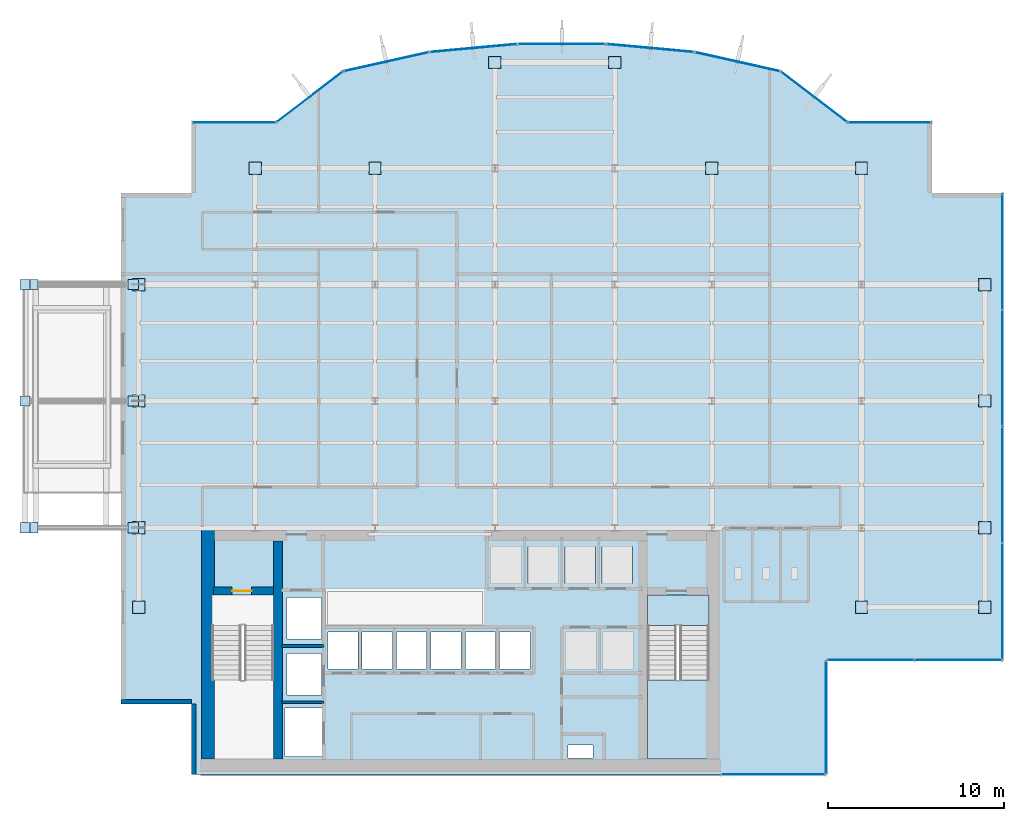
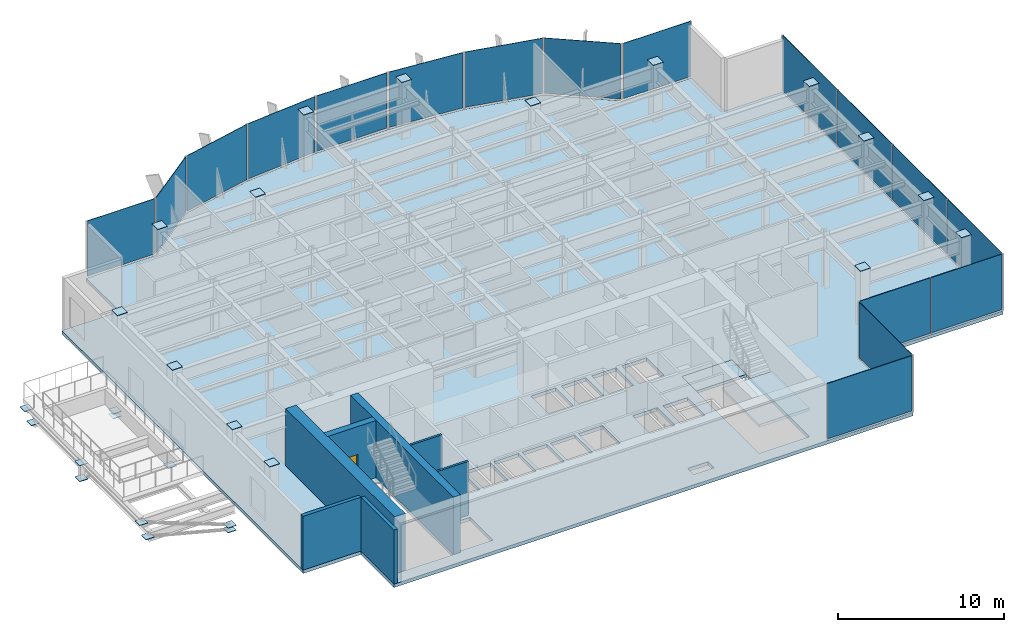
# One storey, part 17 of 26: 44 plates, 7 walls, 3 slabs, 1 door, 1 opening, 14 elements without a shape of their own.
"""IFC4 building model written with IfcOpenShell, lengths in metres."""

from ifc_helpers import new_model, si_unit, derived_unit, direction, frame, frame_2d, origin, origin_2d, place, context, subcontext, project, spatial, polyline, rectangle, outline, extrude, source, transform, mapped, material, layer, layer_set, type_object, element, fill, aggregate, save


model = new_model("IFC4")

# Units and contexts
model_context = context("Model", 3, precision=1e-05, world=origin(), true_north=direction((0.0, 1.0)))
body_context = subcontext(model_context, "Body", "Model", "MODEL_VIEW")
ifc_project = project(units=[si_unit("LENGTHUNIT", "METRE"), si_unit("AREAUNIT", "SQUARE_METRE"), si_unit("VOLUMEUNIT", "CUBIC_METRE"), si_unit("PLANEANGLEUNIT", "RADIAN"), si_unit("MASSUNIT", "GRAM", prefix="KILO"), derived_unit("THERMALTRANSMITTANCEUNIT", [(si_unit("POWERUNIT", "WATT"), 1), (si_unit("LENGTHUNIT", "METRE"), -2), (si_unit("THERMODYNAMICTEMPERATUREUNIT", "KELVIN"), -1)])], contexts=[model_context])

# Site, building, storey
site_placement = place(None, origin())
site = spatial("IfcSite", under=ifc_project, at=site_placement, CompositionType="ELEMENT")
building_placement = place(site_placement, origin())
building = spatial("IfcBuilding", under=site, at=building_placement, Name="Skarnbrae Concourse Arena and Tower", CompositionType="ELEMENT")
storey_placement = place(building_placement, frame((0.0, 0.0, 184.39990234375)))
storey = spatial("IfcBuildingStorey", under=building, at=storey_placement, Name="L47", CompositionType="ELEMENT", Elevation=184.39990234375)

# Stair, slab
ifc_material_1 = material(Name="Concrete 40 MPa (C40/50)", Category="concrete")
stair_type = type_object("IfcStairType", Name="STAIR-DOGLEG-1650", PredefinedType="HALF_TURN_STAIR", material=ifc_material_1)
stair_placement = place(storey_placement, origin())
stair = element("IfcStair", 1, at=stair_placement, inside=storey, type_object=stair_type, Name="L47 Protected Exit Stair ST-2", PredefinedType="HALF_TURN_STAIR")
ifc_layer_1 = layer(ifc_material_1, 0.199951171875)
ifc_layer_set_1 = layer_set([ifc_layer_1], Name="Concrete 40 MPa (C40/50)")
slab_type_1 = type_object("IfcSlabType", Name="SLAB-LANDING-200", PredefinedType="LANDING", material=ifc_layer_set_1)
slab_1_placement = place(storey_placement, frame((0.0, 0.0, 1.900146484375)))
slab_1 = element("IfcSlab", 2, at=slab_1_placement, type_object=slab_type_1, Name="ST-2 landing 1", PredefinedType="LANDING", context=body_context, shape_type="SweptSolid", body=[
    extrude(outline(polyline([(29.85009765625, 5.3701171875), (29.85009765625, 0.89990234375), (33.35009765625, 0.89990234375), (33.35009765625, 5.3701171875), (29.85009765625, 5.3701171875)])), origin(), (0.0, 0.0, 1.0), 0.199951171875),
])
aggregate(stair, [slab_1])

# Slabs
slab_2_placement = place(storey_placement, frame((0.0, 0.0, -0.199951171875)))
element("IfcSlab", 3, at=slab_2_placement, inside=storey, type_object=slab_type_1, Name="L47 Core stair ST2 floor landing", PredefinedType="LANDING", context=body_context, shape_type="SweptSolid", body=[
    extrude(outline(polyline([(29.85009765625, 10.199951171875), (29.85009765625, 8.449951171875), (33.35009765625, 8.449951171875), (33.35009765625, 10.199951171875), (29.85009765625, 10.199951171875)])), origin(), (0.0, 0.0, 1.0), 0.199951171875),
])
ifc_layer_2 = layer(ifc_material_1, 0.25)
ifc_layer_set_2 = layer_set([ifc_layer_2], Name="Concrete 40 MPa (C40/50)")
slab_type_2 = type_object("IfcSlabType", Name="SLAB-TOWER-250", PredefinedType="FLOOR", material=ifc_layer_set_2)
slab_3_placement = place(storey_placement, frame((0.0, 0.0, -0.25)))
element("IfcSlab", 4, at=slab_3_placement, inside=storey, type_object=slab_type_2, Name="L47 Structural floor slab", PredefinedType="FLOOR", context=body_context, shape_type="SweptSolid", body=[
    extrude(outline(polyline([(4.0, 0.0), (40.0, 0.0), (40.0, 6.5), (50.0, 6.5), (50.0, 33.0), (46.0, 33.0), (46.0, 37.0), (41.199951171875, 37.0), (37.409423828125, 39.892578125), (32.51220703125, 40.98681640625), (27.51123046875, 41.445556640625), (22.48876953125, 41.445556640625), (17.48779296875, 40.98681640625), (12.590576171875, 39.892578125), (8.800048828125, 37.0), (4.0, 37.0), (4.0, 33.0), (0.0, 33.0), (0.0, 4.0), (4.0, 4.0), (4.0, 0.0)]), holes=[polyline([(9.294921875, 3.780029296875), (11.455078125, 3.780029296875), (11.455078125, 1.02001953125), (9.294921875, 1.02001953125), (9.294921875, 3.780029296875)]), polyline([(8.64990234375, 10.199951171875), (8.64990234375, 0.89990234375), (5.14990234375, 0.89990234375), (5.14990234375, 10.199951171875), (8.64990234375, 10.199951171875)]), polyline([(9.39501953125, 6.8798828125), (11.35498046875, 6.8798828125), (11.35498046875, 4.52001953125), (9.39501953125, 4.52001953125), (9.39501953125, 6.8798828125)]), polyline([(11.719970703125, 8.10498046875), (13.429931640625, 8.10498046875), (13.429931640625, 5.9951171875), (11.719970703125, 5.9951171875), (11.719970703125, 8.10498046875)]), polyline([(13.669921875, 8.10498046875), (15.3798828125, 8.10498046875), (15.3798828125, 5.9951171875), (13.669921875, 5.9951171875), (13.669921875, 8.10498046875)]), polyline([(15.6201171875, 8.10498046875), (17.330078125, 8.10498046875), (17.330078125, 5.9951171875), (15.6201171875, 5.9951171875), (15.6201171875, 8.10498046875)]), polyline([(17.570068359375, 8.10498046875), (19.280029296875, 8.10498046875), (19.280029296875, 5.9951171875), (17.570068359375, 5.9951171875), (17.570068359375, 8.10498046875)]), polyline([(21.22998046875, 8.10498046875), (21.22998046875, 5.9951171875), (19.52001953125, 5.9951171875), (19.52001953125, 8.10498046875), (21.22998046875, 8.10498046875)]), polyline([(11.35498046875, 10.054931640625), (11.35498046875, 7.695068359375), (9.39501953125, 7.695068359375), (9.39501953125, 10.054931640625), (11.35498046875, 10.054931640625)]), polyline([(25.35009765625, 1.669921875), (26.760009765625, 1.669921875), (26.760009765625, 0.949951171875), (25.35009765625, 0.949951171875), (25.35009765625, 1.669921875)]), polyline([(33.35009765625, 10.199951171875), (33.35009765625, 0.89990234375), (29.85009765625, 0.89990234375), (29.85009765625, 10.199951171875), (33.35009765625, 10.199951171875)]), polyline([(21.469970703125, 8.10498046875), (23.179931640625, 8.10498046875), (23.179931640625, 5.9951171875), (21.469970703125, 5.9951171875), (21.469970703125, 8.10498046875)]), polyline([(25.235107421875, 8.10498046875), (26.945068359375, 8.10498046875), (26.945068359375, 5.9951171875), (25.235107421875, 5.9951171875), (25.235107421875, 8.10498046875)]), polyline([(27.3349609375, 8.10498046875), (29.044921875, 8.10498046875), (29.044921875, 5.9951171875), (27.3349609375, 5.9951171875), (27.3349609375, 8.10498046875)]), polyline([(20.985107421875, 12.955078125), (22.695068359375, 12.955078125), (22.695068359375, 10.844970703125), (20.985107421875, 10.844970703125), (20.985107421875, 12.955078125)]), polyline([(23.0849609375, 12.955078125), (24.794921875, 12.955078125), (24.794921875, 10.844970703125), (23.0849609375, 10.844970703125), (23.0849609375, 12.955078125)]), polyline([(26.89501953125, 12.955078125), (26.89501953125, 10.844970703125), (25.18505859375, 10.844970703125), (25.18505859375, 12.955078125), (26.89501953125, 12.955078125)]), polyline([(28.9951171875, 12.955078125), (28.9951171875, 10.844970703125), (27.284912109375, 10.844970703125), (27.284912109375, 12.955078125), (28.9951171875, 12.955078125)])]), origin(), (0.0, 0.0, 1.0), 0.25),
])

# Plates
ifc_material_2 = material(Name="Steel CSA G40.21 350W", Category="steel")
ifc_layer_3 = layer(ifc_material_2, 0.031982421875)
ifc_layer_set_3 = layer_set([ifc_layer_3], Name="Steel CSA G40.21 350W")
plate_type_1 = type_object("IfcPlateType", Name="PLT-CAP-HOLLOW", PredefinedType="USERDEFINED", material=ifc_layer_set_3)
shared_shape_1 = source(origin(), body_context, "Body", "SweptSolid", [
    extrude(rectangle(XDim=0.580078125, YDim=0.580078125, at=origin_2d()), origin(), (0.0, 0.0, 1.0), 0.031982421875),
])
for number, where, z_axis, x_axis, name in (
    (5, (0.68505859375, 14.0, -2.9658203125), (0.0, 0.0, 1.0), (1.0, 0.0, 0.0), "L47 Sky pool strut base cap plate 1"),
    (6, (-5.449951171875, 14.0, -0.63330078125), (0.0, 0.0, 1.0), (1.0, 0.0, 0.0), "L47 Sky pool strut tip cap plate 1"),
    (7, (0.68505859375, 21.199951171875, -2.9658203125), (0.0, 0.0, 1.0), (1.0, 0.0, 0.0), "L47 Sky pool strut base cap plate 2"),
    (8, (-5.449951171875, 21.199951171875, -1.76611328125), (0.0, 0.0, 1.0), (1.0, 0.0, 0.0), "L47 Sky pool strut tip cap plate 2"),
    (9, (0.68505859375, 27.800048828125, -2.9658203125), (0.0, 0.0, 1.0), (1.0, 0.0, 0.0), "L47 Sky pool strut base cap plate 3"),
    (10, (-5.449951171875, 27.800048828125, -0.63330078125), (0.0, 0.0, 1.0), (1.0, 0.0, 0.0), "L47 Sky pool strut tip cap plate 3"),
    (11, (0.68505859375, 14.0, -3.31591796875), (0.0, 0.0, 1.0), (1.0, 0.0, 0.0), "L47 Basin strut base cap plate 1"),
    (12, (-5.0, 14.0, -1.83349609375), (0.0, 0.0, 1.0), (1.0, 0.0, 0.0), "L47 Basin strut tip cap plate 1"),
    (13, (0.68505859375, 27.800048828125, -3.31591796875), (0.0, 0.0, 1.0), (1.0, 0.0, 0.0), "L47 Basin strut base cap plate 2"),
    (14, (-5.0, 27.800048828125, -1.83349609375), (0.0, 0.0, 1.0), (1.0, 0.0, 0.0), "L47 Basin strut tip cap plate 2"),
    (15, (-5.449951171875, 21.199951171875, -1.78076171875), (0.0, 0.0, 1.0), (1.0, 0.0, 0.0), "L47 Outrigger post bottom cap plate 13"),
    (16, (-5.449951171875, 21.199951171875, -0.6181640625), (0.0, 0.0, 1.0), (1.0, 0.0, 0.0), "L47 Outrigger post top cap plate 13"),
):
    element("IfcPlate", number, at=place(storey_placement, frame(where, z_axis=z_axis, x_axis=x_axis)), inside=storey, type_object=plate_type_1, Name=name, ObjectType="CAP PLATE", PredefinedType="USERDEFINED", context=body_context, shape_type="MappedRepresentation", body=[
        mapped(shared_shape_1, transform((0.0, 0.0, 0.0))),
    ])
ifc_layer_4 = layer(ifc_material_2, 0.031982421875)
ifc_layer_set_4 = layer_set([ifc_layer_4], Name="Steel CSA G40.21 350W")
plate_type_2 = type_object("IfcPlateType", Name="PLT-CAP-BOX650", PredefinedType="USERDEFINED", material=ifc_layer_set_4)
shared_shape_2 = source(origin(), body_context, "Body", "SweptSolid", [
    extrude(rectangle(XDim=0.699951171875, YDim=0.699951171875, at=origin_2d()), origin(), (0.0, 0.0, 1.0), 0.031982421875),
])
for number, where, z_axis, x_axis, name in (
    (17, (1.0, 9.5, 4.19921875), (0.0, 0.0, 1.0), (1.0, 0.0, 0.0), "L47 Hollow column top cap plate 111"),
    (18, (1.0, 14.0, 4.19921875), (0.0, 0.0, 1.0), (1.0, 0.0, 0.0), "L47 Hollow column top cap plate 112"),
    (19, (1.0, 21.199951171875, 4.19921875), (0.0, 0.0, 1.0), (1.0, 0.0, 0.0), "L47 Hollow column top cap plate 113"),
    (20, (1.0, 27.800048828125, 4.19921875), (0.0, 0.0, 1.0), (1.0, 0.0, 0.0), "L47 Hollow column top cap plate 114"),
    (21, (7.60009765625, 34.39990234375, 4.19921875), (0.0, 0.0, 1.0), (1.0, 0.0, 0.0), "L47 Hollow column top cap plate 115"),
    (22, (14.39990234375, 34.39990234375, 4.19921875), (0.0, 0.0, 1.0), (1.0, 0.0, 0.0), "L47 Hollow column top cap plate 116"),
    (23, (21.199951171875, 40.39990234375, 4.19921875), (0.0, 0.0, 1.0), (1.0, 0.0, 0.0), "L47 Hollow column top cap plate 117"),
    (24, (28.0, 40.39990234375, 4.19921875), (0.0, 0.0, 1.0), (1.0, 0.0, 0.0), "L47 Hollow column top cap plate 118"),
    (25, (33.5, 34.39990234375, 4.19921875), (0.0, 0.0, 1.0), (1.0, 0.0, 0.0), "L47 Hollow column top cap plate 119"),
    (26, (42.0, 9.5, 4.19921875), (0.0, 0.0, 1.0), (1.0, 0.0, 0.0), "L47 Hollow column top cap plate 120"),
    (27, (42.0, 34.39990234375, 4.19921875), (0.0, 0.0, 1.0), (1.0, 0.0, 0.0), "L47 Hollow column top cap plate 121"),
    (28, (49.0, 9.5, 4.19921875), (0.0, 0.0, 1.0), (1.0, 0.0, 0.0), "L47 Hollow column top cap plate 122"),
    (29, (49.0, 14.0, 4.19921875), (0.0, 0.0, 1.0), (1.0, 0.0, 0.0), "L47 Hollow column top cap plate 123"),
    (30, (49.0, 21.199951171875, 4.19921875), (0.0, 0.0, 1.0), (1.0, 0.0, 0.0), "L47 Hollow column top cap plate 124"),
    (31, (49.0, 27.800048828125, 4.19921875), (0.0, 0.0, 1.0), (1.0, 0.0, 0.0), "L47 Hollow column top cap plate 125"),
):
    element("IfcPlate", number, at=place(storey_placement, frame(where, z_axis=z_axis, x_axis=x_axis)), inside=storey, type_object=plate_type_2, Name=name, ObjectType="CAP PLATE", PredefinedType="USERDEFINED", context=body_context, shape_type="MappedRepresentation", body=[
        mapped(shared_shape_2, transform((0.0, 0.0, 0.0))),
    ])

# Curtain wall, plate
ifc_material_3 = material(Name="Bronze anodised aluminium 6063-T6", Category="aluminium")
curtain_wall_type = type_object("IfcCurtainWallType", Name="CW-SYS-06-SKYLOBBY", PredefinedType="USERDEFINED", material=ifc_material_3)
curtain_wall_1_placement = place(storey_placement, origin())
curtain_wall_1 = element("IfcCurtainWall", 32, at=curtain_wall_1_placement, inside=storey, type_object=curtain_wall_type, Name="L47 Unitised curtain wall CW-L47-SE-SPINE", ObjectType="UNITISED CURTAIN WALL", PredefinedType="USERDEFINED")
ifc_material_4 = material(Name="Low-E triple insulating glass", Category="glass")
ifc_layer_5 = layer(ifc_material_4, 0.0380859375)
ifc_layer_set_5 = layer_set([ifc_layer_5], Name="Low-E triple insulating glass")
plate_type_3 = type_object("IfcPlateType", Name="CWP-CW-06", PredefinedType="CURTAIN_PANEL", material=ifc_layer_set_5)
shared_shape_3 = source(origin(), body_context, "Body", "SweptSolid", [
    extrude(rectangle(XDim=5.860107421875, YDim=0.0380859375, at=origin_2d()), origin(), (0.0, 0.0, 1.0), 4.06494140625),
])
plate_1_placement = place(storey_placement, frame((37.0, 0.0, 0.135009765625), z_axis=(0.0, 0.0, 1.0), x_axis=(1.0, 0.0, 0.0)))
plate_1 = element("IfcPlate", 33, at=plate_1_placement, type_object=plate_type_3, Name="CW-L47-SE-SPINE Low-E Glazing Panel 1", PredefinedType="CURTAIN_PANEL", context=body_context, shape_type="MappedRepresentation", body=[
    mapped(shared_shape_3, transform((0.0, 0.0, 0.0))),
])
aggregate(curtain_wall_1, [plate_1])

curtain_wall_2_placement = place(storey_placement, origin())
curtain_wall_2 = element("IfcCurtainWall", 34, at=curtain_wall_2_placement, inside=storey, type_object=curtain_wall_type, Name="L47 Unitised curtain wall CW-L47-E02", ObjectType="UNITISED CURTAIN WALL", PredefinedType="USERDEFINED")
shared_shape_4 = source(origin(), body_context, "Body", "SweptSolid", [
    extrude(rectangle(XDim=6.360107421875, YDim=0.0380859375, at=origin_2d()), origin(), (0.0, 0.0, 1.0), 4.06494140625),
])
plate_2_placement = place(storey_placement, frame((40.0, 3.25, 0.135009765625), z_axis=(0.0, 0.0, 1.0), x_axis=(0.0, 1.0, 0.0)))
plate_2 = element("IfcPlate", 35, at=plate_2_placement, type_object=plate_type_3, Name="CW-L47-E02 Low-E Glazing Panel 1", PredefinedType="CURTAIN_PANEL", context=body_context, shape_type="MappedRepresentation", body=[
    mapped(shared_shape_4, transform((0.0, 0.0, 0.0))),
])
aggregate(curtain_wall_2, [plate_2])

# Curtain wall, plates
curtain_wall_3_placement = place(storey_placement, origin())
curtain_wall_3 = element("IfcCurtainWall", 36, at=curtain_wall_3_placement, inside=storey, type_object=curtain_wall_type, Name="L47 Unitised curtain wall CW-L47-E03", ObjectType="UNITISED CURTAIN WALL", PredefinedType="USERDEFINED")
shared_shape_5 = source(origin(), body_context, "Body", "SweptSolid", [
    extrude(rectangle(XDim=4.89501953125, YDim=0.0380859375, at=origin_2d()), origin(), (0.0, 0.0, 1.0), 4.06494140625),
])
plate_3_placement = place(storey_placement, frame((42.517578125, 6.5, 0.135009765625), z_axis=(0.0, 0.0, 1.0), x_axis=(1.0, 0.0, 0.0)))
plate_3 = element("IfcPlate", 37, at=plate_3_placement, type_object=plate_type_3, Name="CW-L47-E03 Low-E Glazing Panel 1", PredefinedType="CURTAIN_PANEL", context=body_context, shape_type="MappedRepresentation", body=[
    mapped(shared_shape_5, transform((0.0, 0.0, 0.0))),
])
plate_4_placement = place(storey_placement, frame((47.482421875, 6.5, 0.135009765625), z_axis=(0.0, 0.0, 1.0), x_axis=(1.0, 0.0, 0.0)))
plate_4 = element("IfcPlate", 38, at=plate_4_placement, type_object=plate_type_3, Name="CW-L47-E03 Low-E Glazing Panel 2", PredefinedType="CURTAIN_PANEL", context=body_context, shape_type="MappedRepresentation", body=[
    mapped(shared_shape_5, transform((0.0, 0.0, 0.0))),
])
aggregate(curtain_wall_3, [plate_3, plate_4])

curtain_wall_4_placement = place(storey_placement, origin())
curtain_wall_4 = element("IfcCurtainWall", 39, at=curtain_wall_4_placement, inside=storey, type_object=curtain_wall_type, Name="L47 Unitised curtain wall CW-L47-E04", ObjectType="UNITISED CURTAIN WALL", PredefinedType="USERDEFINED")
shared_shape_6 = source(origin(), body_context, "Body", "SweptSolid", [
    extrude(rectangle(XDim=6.52001953125, YDim=0.0380859375, at=origin_2d()), origin(), (0.0, 0.0, 1.0), 4.06494140625),
])
plate_5_placement = place(storey_placement, frame((50.0, 9.830078125, 0.135009765625), z_axis=(0.0, 0.0, 1.0), x_axis=(0.0, 1.0, 0.0)))
plate_5 = element("IfcPlate", 40, at=plate_5_placement, type_object=plate_type_3, Name="CW-L47-E04 Low-E Glazing Panel 1", PredefinedType="CURTAIN_PANEL", context=body_context, shape_type="MappedRepresentation", body=[
    mapped(shared_shape_6, transform((0.0, 0.0, 0.0))),
])
plate_6_placement = place(storey_placement, frame((50.0, 29.669921875, 0.135009765625), z_axis=(0.0, 0.0, 1.0), x_axis=(0.0, 1.0, 0.0)))
plate_6 = element("IfcPlate", 41, at=plate_6_placement, type_object=plate_type_3, Name="CW-L47-E04 Low-E Glazing Panel 4", PredefinedType="CURTAIN_PANEL", context=body_context, shape_type="MappedRepresentation", body=[
    mapped(shared_shape_6, transform((0.0, 0.0, 0.0))),
])
shared_shape_7 = source(origin(), body_context, "Body", "SweptSolid", [
    extrude(rectangle(XDim=6.554931640625, YDim=0.0380859375, at=origin_2d()), origin(), (0.0, 0.0, 1.0), 4.06494140625),
])
plate_7_placement = place(storey_placement, frame((50.0, 16.4375, 0.135009765625), z_axis=(0.0, 0.0, 1.0), x_axis=(0.0, 1.0, 0.0)))
plate_7 = element("IfcPlate", 42, at=plate_7_placement, type_object=plate_type_3, Name="CW-L47-E04 Low-E Glazing Panel 2", PredefinedType="CURTAIN_PANEL", context=body_context, shape_type="MappedRepresentation", body=[
    mapped(shared_shape_7, transform((0.0, 0.0, 0.0))),
])
plate_8_placement = place(storey_placement, frame((50.0, 23.0625, 0.135009765625), z_axis=(0.0, 0.0, 1.0), x_axis=(0.0, 1.0, 0.0)))
plate_8 = element("IfcPlate", 43, at=plate_8_placement, type_object=plate_type_3, Name="CW-L47-E04 Low-E Glazing Panel 3", PredefinedType="CURTAIN_PANEL", context=body_context, shape_type="MappedRepresentation", body=[
    mapped(shared_shape_7, transform((0.0, 0.0, 0.0))),
])
aggregate(curtain_wall_4, [plate_5, plate_7, plate_8, plate_6])

# Curtain wall, plate
curtain_wall_5_placement = place(storey_placement, origin())
curtain_wall_5 = element("IfcCurtainWall", 44, at=curtain_wall_5_placement, inside=storey, type_object=curtain_wall_type, Name="L47 Unitised curtain wall CW-L47-E07", ObjectType="UNITISED CURTAIN WALL", PredefinedType="USERDEFINED")
shared_shape_8 = source(origin(), body_context, "Body", "SweptSolid", [
    extrude(rectangle(XDim=4.659912109375, YDim=0.0380859375, at=origin_2d()), origin(), (0.0, 0.0, 1.0), 4.06494140625),
])
plate_9_placement = place(storey_placement, frame((43.60009765625, 37.0, 0.135009765625), z_axis=(0.0, 0.0, 1.0), x_axis=(-1.0, 0.0, 0.0)))
plate_9 = element("IfcPlate", 45, at=plate_9_placement, type_object=plate_type_3, Name="CW-L47-E07 Low-E Glazing Panel 1", PredefinedType="CURTAIN_PANEL", context=body_context, shape_type="MappedRepresentation", body=[
    mapped(shared_shape_8, transform((0.0, 0.0, 0.0))),
])
aggregate(curtain_wall_5, [plate_9])

curtain_wall_6_placement = place(storey_placement, origin())
curtain_wall_6 = element("IfcCurtainWall", 46, at=curtain_wall_6_placement, inside=storey, type_object=curtain_wall_type, Name="L47 Unitised curtain wall CW-L47-E15", ObjectType="UNITISED CURTAIN WALL", PredefinedType="USERDEFINED")
plate_10_placement = place(storey_placement, frame((6.39990234375, 37.0, 0.135009765625), z_axis=(0.0, 0.0, 1.0), x_axis=(-1.0, 0.0, 0.0)))
plate_10 = element("IfcPlate", 47, at=plate_10_placement, type_object=plate_type_3, Name="CW-L47-E15 Low-E Glazing Panel 1", PredefinedType="CURTAIN_PANEL", context=body_context, shape_type="MappedRepresentation", body=[
    mapped(shared_shape_8, transform((0.0, 0.0, 0.0))),
])
aggregate(curtain_wall_6, [plate_10])

curtain_wall_7_placement = place(storey_placement, origin())
curtain_wall_7 = element("IfcCurtainWall", 48, at=curtain_wall_7_placement, inside=storey, type_object=curtain_wall_type, Name="L47 Unitised curtain wall CW-L47-E08", ObjectType="UNITISED CURTAIN WALL", PredefinedType="USERDEFINED")
shared_shape_9 = source(origin(), body_context, "Body", "SweptSolid", [
    extrude(rectangle(XDim=4.628173828125, YDim=0.0380859375, at=origin_2d()), origin(), (0.0, 0.0, 1.0), 4.06494140625),
])
plate_11_placement = place(storey_placement, frame((39.3046875, 38.4462890625, 0.135009765625), z_axis=(0.0, 0.0, 1.0), x_axis=(-0.794956000706, 0.606667089054, 0.0)))
plate_11 = element("IfcPlate", 49, at=plate_11_placement, type_object=plate_type_3, Name="CW-L47-E08 Low-E Glazing Panel 1", PredefinedType="CURTAIN_PANEL", context=body_context, shape_type="MappedRepresentation", body=[
    mapped(shared_shape_9, transform((0.0, 0.0, 0.0))),
])
aggregate(curtain_wall_7, [plate_11])

curtain_wall_8_placement = place(storey_placement, origin())
curtain_wall_8 = element("IfcCurtainWall", 50, at=curtain_wall_8_placement, inside=storey, type_object=curtain_wall_type, Name="L47 Unitised curtain wall CW-L47-E14", ObjectType="UNITISED CURTAIN WALL", PredefinedType="USERDEFINED")
plate_12_placement = place(storey_placement, frame((10.6953125, 38.4462890625, 0.135009765625), z_axis=(0.0, 0.0, 1.0), x_axis=(-0.794956000706, -0.606667089054, 0.0)))
plate_12 = element("IfcPlate", 51, at=plate_12_placement, type_object=plate_type_3, Name="CW-L47-E14 Low-E Glazing Panel 1", PredefinedType="CURTAIN_PANEL", context=body_context, shape_type="MappedRepresentation", body=[
    mapped(shared_shape_9, transform((0.0, 0.0, 0.0))),
])
aggregate(curtain_wall_8, [plate_12])

curtain_wall_9_placement = place(storey_placement, origin())
curtain_wall_9 = element("IfcCurtainWall", 52, at=curtain_wall_9_placement, inside=storey, type_object=curtain_wall_type, Name="L47 Unitised curtain wall CW-L47-E09", ObjectType="UNITISED CURTAIN WALL", PredefinedType="USERDEFINED")
shared_shape_10 = source(origin(), body_context, "Body", "SweptSolid", [
    extrude(rectangle(XDim=4.8779296875, YDim=0.0380859375, at=origin_2d()), origin(), (0.0, 0.0, 1.0), 4.06494140625),
])
plate_13_placement = place(storey_placement, frame((34.9609375, 40.439697265625, 0.135009765625), z_axis=(0.0, 0.0, 1.0), x_axis=(-0.975936175393, 0.218056372433, 0.0)))
plate_13 = element("IfcPlate", 53, at=plate_13_placement, type_object=plate_type_3, Name="CW-L47-E09 Low-E Glazing Panel 1", PredefinedType="CURTAIN_PANEL", context=body_context, shape_type="MappedRepresentation", body=[
    mapped(shared_shape_10, transform((0.0, 0.0, 0.0))),
])
aggregate(curtain_wall_9, [plate_13])

curtain_wall_10_placement = place(storey_placement, origin())
curtain_wall_10 = element("IfcCurtainWall", 54, at=curtain_wall_10_placement, inside=storey, type_object=curtain_wall_type, Name="L47 Unitised curtain wall CW-L47-E13", ObjectType="UNITISED CURTAIN WALL", PredefinedType="USERDEFINED")
plate_14_placement = place(storey_placement, frame((15.0390625, 40.439697265625, 0.135009765625), z_axis=(0.0, 0.0, 1.0), x_axis=(-0.975936175393, -0.218056372433, 0.0)))
plate_14 = element("IfcPlate", 55, at=plate_14_placement, type_object=plate_type_3, Name="CW-L47-E13 Low-E Glazing Panel 1", PredefinedType="CURTAIN_PANEL", context=body_context, shape_type="MappedRepresentation", body=[
    mapped(shared_shape_10, transform((0.0, 0.0, 0.0))),
])
aggregate(curtain_wall_10, [plate_14])

curtain_wall_11_placement = place(storey_placement, origin())
curtain_wall_11 = element("IfcCurtainWall", 56, at=curtain_wall_11_placement, inside=storey, type_object=curtain_wall_type, Name="L47 Unitised curtain wall CW-L47-E10", ObjectType="UNITISED CURTAIN WALL", PredefinedType="USERDEFINED")
shared_shape_11 = source(origin(), body_context, "Body", "SweptSolid", [
    extrude(rectangle(XDim=4.882080078125, YDim=0.0380859375, at=origin_2d()), origin(), (0.0, 0.0, 1.0), 4.06494140625),
])
plate_15_placement = place(storey_placement, frame((30.01171875, 41.21630859375, 0.135009765625), z_axis=(0.0, 0.0, 1.0), x_axis=(-0.995819926016, 0.091338244731, 0.0)))
plate_15 = element("IfcPlate", 57, at=plate_15_placement, type_object=plate_type_3, Name="CW-L47-E10 Low-E Glazing Panel 1", PredefinedType="CURTAIN_PANEL", context=body_context, shape_type="MappedRepresentation", body=[
    mapped(shared_shape_11, transform((0.0, 0.0, 0.0))),
])
aggregate(curtain_wall_11, [plate_15])

curtain_wall_12_placement = place(storey_placement, origin())
curtain_wall_12 = element("IfcCurtainWall", 58, at=curtain_wall_12_placement, inside=storey, type_object=curtain_wall_type, Name="L47 Unitised curtain wall CW-L47-E12", ObjectType="UNITISED CURTAIN WALL", PredefinedType="USERDEFINED")
plate_16_placement = place(storey_placement, frame((19.98828125, 41.21630859375, 0.135009765625), z_axis=(0.0, 0.0, 1.0), x_axis=(-0.995819926016, -0.091338244731, 0.0)))
plate_16 = element("IfcPlate", 59, at=plate_16_placement, type_object=plate_type_3, Name="CW-L47-E12 Low-E Glazing Panel 1", PredefinedType="CURTAIN_PANEL", context=body_context, shape_type="MappedRepresentation", body=[
    mapped(shared_shape_11, transform((0.0, 0.0, 0.0))),
])
aggregate(curtain_wall_12, [plate_16])

curtain_wall_13_placement = place(storey_placement, origin())
curtain_wall_13 = element("IfcCurtainWall", 60, at=curtain_wall_13_placement, inside=storey, type_object=curtain_wall_type, Name="L47 Unitised curtain wall CW-L47-E11", ObjectType="UNITISED CURTAIN WALL", PredefinedType="USERDEFINED")
shared_shape_12 = source(origin(), body_context, "Body", "SweptSolid", [
    extrude(rectangle(XDim=4.882568359375, YDim=0.0380859375, at=origin_2d()), origin(), (0.0, 0.0, 1.0), 4.06494140625),
])
plate_17_placement = place(storey_placement, frame((25.0, 41.445556640625, 0.135009765625), z_axis=(0.0, 0.0, 1.0), x_axis=(-1.0, 0.0, 0.0)))
plate_17 = element("IfcPlate", 61, at=plate_17_placement, type_object=plate_type_3, Name="CW-L47-E11 Low-E Glazing Panel 1", PredefinedType="CURTAIN_PANEL", context=body_context, shape_type="MappedRepresentation", body=[
    mapped(shared_shape_12, transform((0.0, 0.0, 0.0))),
])
aggregate(curtain_wall_13, [plate_17])

# Walls
ifc_material_5 = material(Name="Concrete 60 MPa (C60/75)", Category="concrete")
ifc_layer_6 = layer(ifc_material_5, 0.75)
ifc_layer_set_6 = layer_set([ifc_layer_6], Name="Concrete 60 MPa (C60/75)")
wall_type_1 = type_object("IfcWallType", Name="WALL-CORE-750-C60", PredefinedType="SHEAR", material=ifc_layer_set_6)
shared_shape_13 = source(origin(), body_context, "Body", "SweptSolid", [
    extrude(rectangle(XDim=13.10009765625, YDim=0.75, at=frame_2d((6.550048828125, 0.0))), origin(), (0.0, 0.0, 1.0), 4.2001953125),
])
wall_1_placement = place(storey_placement, frame((4.925048828125, 0.89990234375, 0.0), z_axis=(0.0, 0.0, 1.0), x_axis=(0.0, 1.0, 0.0)))
element("IfcWall", 62, at=wall_1_placement, inside=storey, type_object=wall_type_1, Name="L47 Rear core shear wall CW-W", PredefinedType="SHEAR", context=body_context, shape_type="MappedRepresentation", body=[
    mapped(shared_shape_13, transform((0.0, 0.0, 0.0))),
])
ifc_layer_7 = layer(ifc_material_5, 0.5)
ifc_layer_set_7 = layer_set([ifc_layer_7], Name="Concrete 60 MPa (C60/75)")
wall_type_2 = type_object("IfcWallType", Name="WALL-CORE-500-C60", PredefinedType="SHEAR", material=ifc_layer_set_7)
shared_shape_14 = source(origin(), body_context, "Body", "SweptSolid", [
    extrude(rectangle(XDim=12.35009765625, YDim=0.5, at=frame_2d((6.175048828125, 0.0))), origin(), (0.0, 0.0, 1.0), 4.2001953125),
])
wall_2_placement = place(storey_placement, frame((8.889892578125, 0.89990234375, 0.0), z_axis=(0.0, 0.0, 1.0), x_axis=(0.0, 1.0, 0.0)))
element("IfcWall", 63, at=wall_2_placement, inside=storey, type_object=wall_type_2, Name="L47 Rear core shear wall CW-WEB-W", PredefinedType="SHEAR", context=body_context, shape_type="MappedRepresentation", body=[
    mapped(shared_shape_14, transform((0.0, 0.0, 0.0))),
])

# Wall, opening, door
ifc_material_6 = material(Name="Concrete 50 MPa (C50/60)", Category="concrete")
ifc_layer_8 = layer(ifc_material_6, 0.449951171875)
ifc_layer_set_8 = layer_set([ifc_layer_8], Name="Concrete 50 MPa (C50/60)")
wall_type_3 = type_object("IfcWallType", Name="WALL-CORE-450-C50", PredefinedType="SHEAR", material=ifc_layer_set_8)
shared_shape_15 = source(origin(), body_context, "Body", "SweptSolid", [
    extrude(rectangle(XDim=3.389892578125, YDim=0.449951171875, at=frame_2d((1.69482421875, 0.0))), origin(), (0.0, 0.0, 1.0), 4.2001953125),
])
wall_3_placement = place(storey_placement, frame((5.25, 10.419921875, 0.0), z_axis=(0.0, 0.0, 1.0), x_axis=(1.0, 0.0, 0.0)))
wall_3 = element("IfcWall", 64, at=wall_3_placement, inside=storey, type_object=wall_type_3, Name="L47 Rear core shear wall CW-ST1-N", PredefinedType="SHEAR", context=body_context, shape_type="MappedRepresentation", body=[
    mapped(shared_shape_15, transform((0.0, 0.0, 0.0))),
])
opening_placement = place(wall_3_placement, frame((1.050048828125, 0.0, 0.0)))
opening = element("IfcOpeningElement", 65, at=opening_placement, cuts=wall_3, Name="Opening DT-03", PredefinedType="OPENING", context=body_context, shape_type="SweptSolid", body=[
    extrude(rectangle(XDim=1.10009765625, YDim=2.14990234375, at=frame_2d((0.550048828125, 1.074951171875))), frame((0.0, 0.23486328125, 0.0), z_axis=(0.0, -1.0, 0.0), x_axis=(1.0, 0.0, 0.0)), (0.0, 0.0, 1.0), 0.469970703125),
])
door_type = type_object("IfcDoorType", Name="DOOR-FIRE-1100-90M", OperationType="NOTDEFINED", PredefinedType="DOOR", material=ifc_material_2)
shared_shape_16 = source(origin(), body_context, "Body", "SweptSolid", [
    extrude(rectangle(XDim=1.10009765625, YDim=2.14990234375, at=frame_2d((0.550048828125, 1.074951171875))), frame((0.0, 0.02490234375, 0.0), z_axis=(0.0, -1.0, 0.0), x_axis=(1.0, 0.0, 0.0)), (0.0, 0.0, 1.0), 0.050048828125),
])
door_placement = place(opening_placement, frame((1.10009765625, 0.0, 0.0), z_axis=(0.0, 0.0, 1.0), x_axis=(-1.0, 0.0, 0.0)))
door = element("IfcDoor", 66, at=door_placement, inside=storey, type_object=door_type, Name="D-1434 Stair ST-1 Door", OperationType="SINGLE_SWING_LEFT", OverallHeight=2.14990234375, OverallWidth=1.10009765625, PredefinedType="DOOR", context=body_context, shape_type="MappedRepresentation", body=[
    mapped(shared_shape_16, transform((0.0, 0.0, 0.0))),
])
fill(opening, door)

# Walls
ifc_material_7 = material(Name="Precast concrete 40 MPa (C40/50)", Category="concrete")
ifc_layer_9 = layer(ifc_material_7, 0.25)
ifc_layer_set_9 = layer_set([ifc_layer_9], Name="Precast concrete 40 MPa (C40/50)")
wall_type_4 = type_object("IfcWallType", Name="WALL-EXT-SPANDREL-250", PredefinedType="STANDARD", material=ifc_layer_set_9)
shared_shape_17 = source(origin(), body_context, "Body", "SweptSolid", [
    extrude(rectangle(XDim=4.0, YDim=0.25, at=frame_2d((2.0, 0.0))), origin(), (0.0, 0.0, 1.0), 3.9501953125),
])
for number, where, z_axis, x_axis, name in (
    (67, (0.0, 4.125, 0.0), (0.0, 0.0, 1.0), (1.0, 0.0, 0.0), "L47 Notched corner insulated return wall 19"),
    (68, (4.125, 4.0, 0.0), (0.0, 0.0, 1.0), (0.0, -1.0, 0.0), "L47 Notched corner insulated return wall 20"),
):
    element("IfcWall", number, at=place(storey_placement, frame(where, z_axis=z_axis, x_axis=x_axis)), inside=storey, type_object=wall_type_4, Name=name, PredefinedType="STANDARD", context=body_context, shape_type="MappedRepresentation", body=[
        mapped(shared_shape_17, transform((0.0, 0.0, 0.0))),
    ])
ifc_material_8 = material(Name="Gypsum board on cold-formed steel studs", Category="steel")
ifc_layer_10 = layer(ifc_material_8, 0.14990234375)
ifc_layer_set_10 = layer_set([ifc_layer_10], Name="Gypsum board on cold-formed steel studs")
wall_type_5 = type_object("IfcWallType", Name="WALL-PART-150", PredefinedType="PARTITIONING", material=ifc_layer_set_10)
shared_shape_18 = source(origin(), body_context, "Body", "SweptSolid", [
    extrude(rectangle(XDim=2.39990234375, YDim=0.14990234375, at=frame_2d((1.199951171875, 0.0))), origin(), (0.0, 0.0, 1.0), 3.9501953125),
])
for number, where, z_axis, x_axis, name in (
    (69, (9.10009765625, 4.10009765625, 0.0), (0.0, 0.0, 1.0), (1.0, 0.0, 0.0), "L47 Interior partition wall W-L47-FL-D1"),
    (70, (9.10009765625, 7.300048828125, 0.0), (0.0, 0.0, 1.0), (1.0, 0.0, 0.0), "L47 Interior partition wall W-L47-FL-D2"),
):
    element("IfcWall", number, at=place(storey_placement, frame(where, z_axis=z_axis, x_axis=x_axis)), inside=storey, type_object=wall_type_5, Name=name, PredefinedType="PARTITIONING", context=body_context, shape_type="MappedRepresentation", body=[
        mapped(shared_shape_18, transform((0.0, 0.0, 0.0))),
    ])

save(model, "model.ifc")
